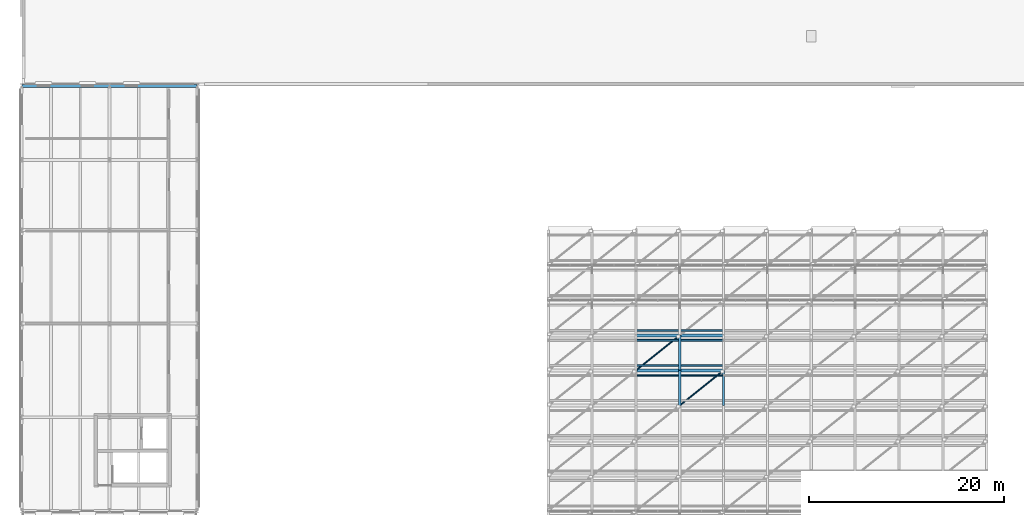
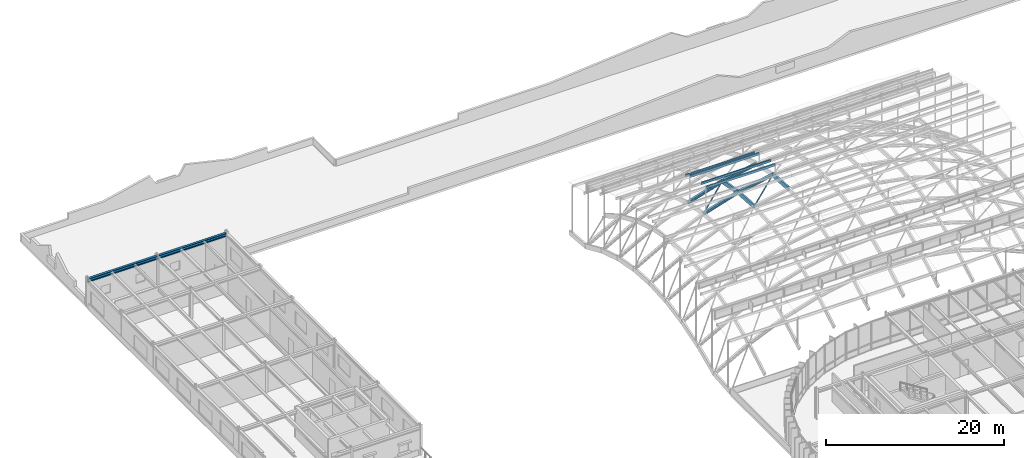
# One storey, part 28 of 69: 9 beams, 6 members.
"""IFC4 building model written with IfcOpenShell, lengths in metres."""

from ifc_helpers import new_model, si_unit, direction, frame, origin, origin_2d, place, context, subcontext, project, spatial, rectangle, hollow_circle, i_section, extrude, material, material_profile, profile_set, type_object, element, save


model = new_model("IFC4")

# Units and contexts
model_context = context("Model", 3, precision=1e-05, world=origin(), true_north=direction((0.0, 1.0)))
body_context = subcontext(model_context, "Body", "Model", "MODEL_VIEW")
ifc_project = project(units=[si_unit("LENGTHUNIT", "METRE"), si_unit("AREAUNIT", "SQUARE_METRE"), si_unit("VOLUMEUNIT", "CUBIC_METRE"), si_unit("PLANEANGLEUNIT", "RADIAN"), si_unit("MASSUNIT", "GRAM", prefix="KILO")], contexts=[model_context])

# Site, building, storey
site_placement = place(None, origin())
site = spatial("IfcSite", under=ifc_project, at=site_placement, CompositionType="ELEMENT")
building_placement = place(site_placement, origin())
building = spatial("IfcBuilding", under=site, at=building_placement, Name="Montealbar Specialist Clinic", CompositionType="ELEMENT")
storey_placement = place(building_placement, frame((0.0, 0.0, 9.60009765625)))
storey = spatial("IfcBuildingStorey", under=building, at=storey_placement, Name="L02", CompositionType="ELEMENT", Elevation=9.60009765625)

# Beams
ifc_material_1 = material(Name="Steel S355", Category="steel")
ifc_material_profile_1 = material_profile(ifc_material_1, i_section(OverallWidth=0.300048828125, OverallDepth=0.360107421875, WebThickness=0.012451171875, FlangeThickness=0.0224609375, FilletRadius=0.027099609375, at=origin_2d()), Name="HEB 360", Category="steel")
ifc_profile_set_1 = profile_set([ifc_material_profile_1], Name="Steel S355")
beam_type_1 = type_object("IfcBeamType", Name="BM-GIRD-HEB360-EXT", PredefinedType="BEAM", material=ifc_profile_set_1)
beam_1_placement = place(storey_placement, frame((63.0, 66.60009765625, 8.4580078125), z_axis=(0.955697132972, 0.0, 0.294351813362), x_axis=(0.0, 1.0, 0.0)))
element("IfcBeam", 1, at=beam_1_placement, inside=storey, type_object=beam_type_1, Name="Gridshell Roof Truss Arch Rib X 6-2", PredefinedType="BEAM", context=body_context, shape_type="SweptSolid", body=[
    extrude(i_section(OverallWidth=0.300048828125, OverallDepth=0.360107421875, WebThickness=0.012451171875, FlangeThickness=0.0224609375, FilletRadius=0.027099609375, at=origin_2d()), origin(), (0.0, 0.0, 1.0), 4.70849609375),
])
beam_2_placement = place(storey_placement, frame((67.5, 66.60009765625, 9.843994140625), z_axis=(0.983342446778, 0.0, 0.181762571407), x_axis=(0.0, 1.0, 0.0)))
element("IfcBeam", 2, at=beam_2_placement, inside=storey, type_object=beam_type_1, Name="Gridshell Roof Truss Arch Rib X 6-3", PredefinedType="BEAM", context=body_context, shape_type="SweptSolid", body=[
    extrude(i_section(OverallWidth=0.300048828125, OverallDepth=0.360107421875, WebThickness=0.012451171875, FlangeThickness=0.0224609375, FilletRadius=0.027099609375, at=origin_2d()), origin(), (0.0, 0.0, 1.0), 4.576171875),
])
beam_3_placement = place(storey_placement, frame((63.0, 70.199951171875, 7.77783203125), z_axis=(0.955697132972, 0.0, 0.294351813362), x_axis=(0.0, 1.0, 0.0)))
element("IfcBeam", 3, at=beam_3_placement, inside=storey, type_object=beam_type_1, Name="Gridshell Roof Truss Arch Rib X 7-2", PredefinedType="BEAM", context=body_context, shape_type="SweptSolid", body=[
    extrude(i_section(OverallWidth=0.300048828125, OverallDepth=0.360107421875, WebThickness=0.012451171875, FlangeThickness=0.0224609375, FilletRadius=0.027099609375, at=origin_2d()), origin(), (0.0, 0.0, 1.0), 4.70849609375),
])
beam_4_placement = place(storey_placement, frame((67.5, 70.199951171875, 9.163818359375), z_axis=(0.983332910059, 0.0, 0.181814157849), x_axis=(0.0, 1.0, 0.0)))
element("IfcBeam", 4, at=beam_4_placement, inside=storey, type_object=beam_type_1, Name="Gridshell Roof Truss Arch Rib X 7-3", PredefinedType="BEAM", context=body_context, shape_type="SweptSolid", body=[
    extrude(i_section(OverallWidth=0.300048828125, OverallDepth=0.360107421875, WebThickness=0.012451171875, FlangeThickness=0.0224609375, FilletRadius=0.027099609375, at=origin_2d()), origin(), (0.0, 0.0, 1.0), 4.576171875),
])
ifc_material_profile_2 = material_profile(ifc_material_1, i_section(OverallWidth=0.300048828125, OverallDepth=0.449951171875, WebThickness=0.013916015625, FlangeThickness=0.02587890625, FilletRadius=0.027099609375, at=origin_2d()), Name="HEB 450", Category="steel")
ifc_profile_set_2 = profile_set([ifc_material_profile_2], Name="Steel S355")
beam_type_2 = type_object("IfcBeamType", Name="BM-GIRD-HEB450-EXT", PredefinedType="BEAM", material=ifc_profile_set_2)
for number, where, z_axis, x_axis, name in (
    (5, (0.0, 95.800048828125, 3.704833984375), (1.0, 0.0, 0.0), (0.0, 1.0, 0.0), "Beam GX-L02-0-90-958"),
    (6, (9.0, 95.800048828125, 3.704833984375), (1.0, 0.0, 0.0), (0.0, 1.0, 0.0), "Beam GX-L02-90-180-958"),
):
    element("IfcBeam", number, at=place(storey_placement, frame(where, z_axis=z_axis, x_axis=x_axis)), inside=storey, type_object=beam_type_2, Name=name, PredefinedType="BEAM", context=body_context, shape_type="SweptSolid", body=[
        extrude(i_section(OverallWidth=0.300048828125, OverallDepth=0.449951171875, WebThickness=0.013916015625, FlangeThickness=0.02587890625, FilletRadius=0.027099609375, at=origin_2d()), origin(), (0.0, 0.0, 1.0), 9.0),
    ])
ifc_material_2 = material(Name="Glulam GL28h", Category="wood")
ifc_material_profile_3 = material_profile(ifc_material_2, rectangle(XDim=0.219970703125, YDim=0.56005859375, at=origin_2d()), Name="GL28h 220x560", Category="wood")
ifc_profile_set_3 = profile_set([ifc_material_profile_3], Name="Glulam GL28h")
beam_type_3 = type_object("IfcBeamType", Name="BM-GL-220x560-EXT", PredefinedType="BEAM", material=ifc_profile_set_3)
beam_5_placement = place(storey_placement, frame((67.5, 63.0, 10.07080078125), z_axis=(0.0, 0.998021379395, -0.062875482264), x_axis=(-1.0, 0.0, 0.0)))
element("IfcBeam", 7, at=beam_5_placement, inside=storey, type_object=beam_type_3, Name="Gridshell Glulam Roof Truss Rib Y 3-5", PredefinedType="BEAM", context=body_context, shape_type="SweptSolid", body=[
    extrude(rectangle(XDim=0.219970703125, YDim=0.56005859375, at=origin_2d()), origin(), (0.0, 0.0, 1.0), 3.607177734375),
])
beam_6_placement = place(storey_placement, frame((67.5, 66.60009765625, 9.843994140625), z_axis=(0.0, 0.98261397186, -0.18566039509), x_axis=(-1.0, 0.0, 0.0)))
element("IfcBeam", 8, at=beam_6_placement, inside=storey, type_object=beam_type_3, Name="Gridshell Glulam Roof Truss Rib Y 3-6", PredefinedType="BEAM", context=body_context, shape_type="SweptSolid", body=[
    extrude(rectangle(XDim=0.219970703125, YDim=0.56005859375, at=origin_2d()), origin(), (0.0, 0.0, 1.0), 3.66357421875),
])
beam_7_placement = place(storey_placement, frame((72.0, 63.0, 10.90283203125), z_axis=(0.0, 0.998017130092, -0.062942895089), x_axis=(-1.0, 0.0, 0.0)))
element("IfcBeam", 9, at=beam_7_placement, inside=storey, type_object=beam_type_3, Name="Gridshell Glulam Roof Truss Rib Y 4-5", PredefinedType="BEAM", context=body_context, shape_type="SweptSolid", body=[
    extrude(rectangle(XDim=0.219970703125, YDim=0.56005859375, at=origin_2d()), origin(), (0.0, 0.0, 1.0), 3.607177734375),
])

# Members
ifc_material_profile_4 = material_profile(ifc_material_1, hollow_circle(Radius=0.084228515625, WallThickness=0.008056640625, at=origin_2d()), Name="CHS 168.3x8.0", Category="steel")
ifc_profile_set_4 = profile_set([ifc_material_profile_4], Name="Steel S355")
member_type_1 = type_object("IfcMemberType", Name="MB-GS-DIAG-EXT", PredefinedType="BRACE", material=ifc_profile_set_4)
member_1_placement = place(storey_placement, frame((63.0, 66.60009765625, 8.4580078125), z_axis=(0.775089278903, 0.620046192352, 0.12157026396), x_axis=(-0.624679547852, 0.780881208953, 0.0)))
element("IfcMember", 10, at=member_1_placement, inside=storey, type_object=member_type_1, Name="Gridshell Roof Brace 2-6", PredefinedType="BRACE", context=body_context, shape_type="SweptSolid", body=[
    extrude(hollow_circle(Radius=0.084228515625, WallThickness=0.008056640625, at=origin_2d()), origin(), (0.0, 0.0, 1.0), 5.8056640625),
])
member_2_placement = place(storey_placement, frame((67.5, 63.0, 10.07080078125), z_axis=(0.776593014048, 0.621291264385, 0.104405245704), x_axis=(-0.624705380279, 0.780860543151, 0.0)))
element("IfcMember", 11, at=member_2_placement, inside=storey, type_object=member_type_1, Name="Gridshell Roof Brace 3-5", PredefinedType="BRACE", context=body_context, shape_type="SweptSolid", body=[
    extrude(hollow_circle(Radius=0.084228515625, WallThickness=0.008056640625, at=origin_2d()), origin(), (0.0, 0.0, 1.0), 5.79443359375),
])
ifc_material_profile_5 = material_profile(ifc_material_2, rectangle(XDim=0.159912109375, YDim=0.320068359375, at=origin_2d()), Name="GL28h 160x320", Category="wood")
ifc_profile_set_5 = profile_set([ifc_material_profile_5], Name="Glulam GL28h")
member_type_2 = type_object("IfcMemberType", Name="MB-GS-PURLIN-GL-EXT", PredefinedType="PURLIN", material=ifc_profile_set_5)
for number, where, z_axis, x_axis, name in (
    (12, (63.0, 66.10009765625, 12.367919921875), (1.0, 0.0, 0.0), (0.0, 1.0, 0.0), "Gridshell Glulam Purlin 6-2-2"),
    (13, (63.0, 67.10009765625, 12.31201171875), (1.0, 0.0, 0.0), (0.0, 1.0, 0.0), "Gridshell Glulam Purlin 7-2-1"),
    (14, (63.0, 69.699951171875, 11.68798828125), (1.0, 0.0, 0.0), (0.0, 1.0, 0.0), "Gridshell Glulam Purlin 7-2-2"),
    (15, (63.0, 70.699951171875, 11.177978515625), (1.0, 0.0, 0.0), (0.0, 1.0, 0.0), "Gridshell Glulam Purlin 8-2-1"),
):
    element("IfcMember", number, at=place(storey_placement, frame(where, z_axis=z_axis, x_axis=x_axis)), inside=storey, type_object=member_type_2, Name=name, PredefinedType="PURLIN", context=body_context, shape_type="SweptSolid", body=[
        extrude(rectangle(XDim=0.159912109375, YDim=0.320068359375, at=origin_2d()), origin(), (0.0, 0.0, 1.0), 9.0),
    ])

save(model, "model.ifc")
